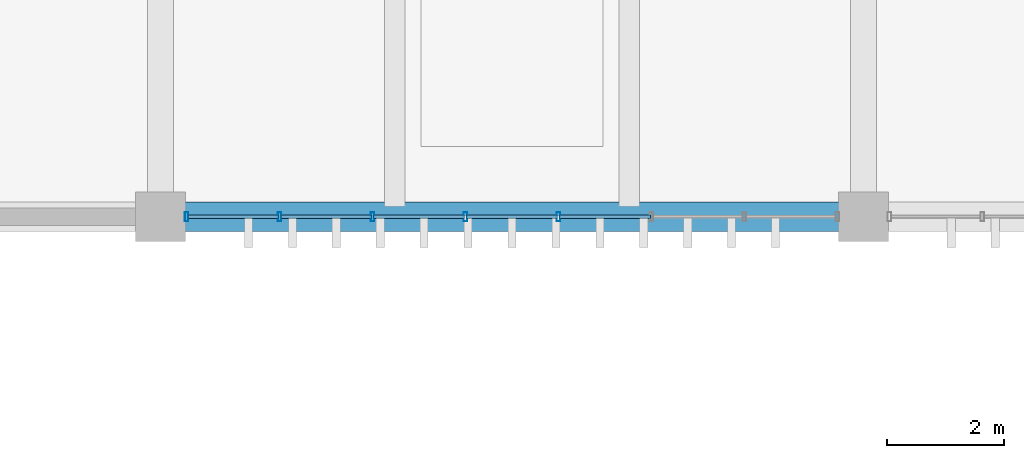
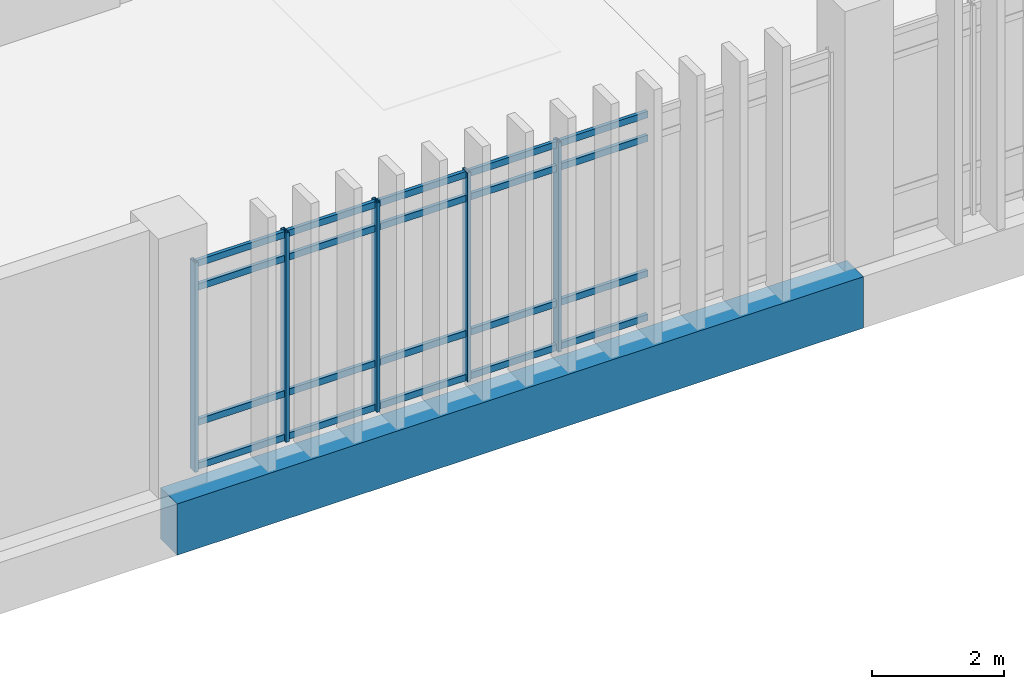
# One storey, part 33 of 87: 25 members, 1 beam, 1 element without a shape of its own.
"""IFC4 building model written with IfcOpenShell, lengths in metres."""

from ifc_helpers import new_model, si_unit, direction, frame, origin, origin_2d, place, context, subcontext, project, spatial, rectangle, hollow_rectangle, extrude, material, layer, layer_set, material_profile, profile_set, type_object, element, aggregate, save


model = new_model("IFC4")

# Units and contexts
model_context = context("Model", 3, precision=1e-05, world=origin(), true_north=direction((0.0, 1.0)))
body_context = subcontext(model_context, "Body", "Model", "MODEL_VIEW")
ifc_project = project(units=[si_unit("LENGTHUNIT", "METRE"), si_unit("AREAUNIT", "SQUARE_METRE"), si_unit("VOLUMEUNIT", "CUBIC_METRE"), si_unit("PLANEANGLEUNIT", "RADIAN"), si_unit("MASSUNIT", "GRAM", prefix="KILO")], contexts=[model_context])

# Site, building, storey
site_placement = place(None, origin())
site = spatial("IfcSite", under=ifc_project, at=site_placement, CompositionType="ELEMENT")
building_placement = place(site_placement, origin())
building = spatial("IfcBuilding", under=site, at=building_placement, Name="Mersad Railyard Sports Hall", CompositionType="ELEMENT")
storey_placement = place(building_placement, origin())
storey = spatial("IfcBuildingStorey", under=building, at=storey_placement, Name="L00", CompositionType="ELEMENT", Elevation=0.0)

# Curtain wall, members
ifc_material_1 = material(Name="Aluminium 6063-T6", Category="aluminium")
ifc_layer = layer(ifc_material_1, 0.159912109375)
ifc_layer_set = layer_set([ifc_layer], Name="Aluminium 6063-T6")
curtain_wall_type = type_object("IfcCurtainWallType", Name="ARC-CW-CW31", PredefinedType="USERDEFINED", material=ifc_layer_set)
curtain_wall_placement = place(storey_placement, origin())
curtain_wall = element("IfcCurtainWall", 1, at=curtain_wall_placement, inside=storey, type_object=curtain_wall_type, Name="Curtain wall CW31-0090", ObjectType="CURTAIN WALL", PredefinedType="USERDEFINED")
ifc_material_profile_1 = material_profile(ifc_material_1, hollow_rectangle(XDim=0.06005859375, YDim=0.159912109375, WallThickness=0.00390625, at=origin_2d()), Name="AL MULLION 60x160x4")
ifc_profile_set_1 = profile_set([ifc_material_profile_1], Name="Aluminium 6063-T6")
member_type_1 = type_object("IfcMemberType", Name="ARC-CW-MUL01", PredefinedType="MULLION", material=ifc_profile_set_1)
member_1_placement = place(storey_placement, frame((61.79345703125, 85.0, -0.02001953125), z_axis=(0.0, 0.0, 1.0), x_axis=(1.0, 0.0, 0.0)))
member_1 = element("IfcMember", 2, at=member_1_placement, type_object=member_type_1, Name="CW31 Mullion 4", PredefinedType="MULLION", context=body_context, shape_type="SweptSolid", body=[
    extrude(hollow_rectangle(XDim=0.06005859375, YDim=0.159912109375, WallThickness=0.00390625, at=origin_2d()), origin(), (0.0, 0.0, 1.0), 3.8701171875),
])
member_2_placement = place(storey_placement, frame((60.20654296875, 85.0, -0.02001953125), z_axis=(0.0, 0.0, 1.0), x_axis=(1.0, 0.0, 0.0)))
member_2 = element("IfcMember", 3, at=member_2_placement, type_object=member_type_1, Name="CW31 Mullion 5", PredefinedType="MULLION", context=body_context, shape_type="SweptSolid", body=[
    extrude(hollow_rectangle(XDim=0.06005859375, YDim=0.159912109375, WallThickness=0.00390625, at=origin_2d()), origin(), (0.0, 0.0, 1.0), 3.8701171875),
])
member_3_placement = place(storey_placement, frame((58.619384765625, 85.0, -0.02001953125), z_axis=(0.0, 0.0, 1.0), x_axis=(1.0, 0.0, 0.0)))
member_3 = element("IfcMember", 4, at=member_3_placement, type_object=member_type_1, Name="CW31 Mullion 6", PredefinedType="MULLION", context=body_context, shape_type="SweptSolid", body=[
    extrude(hollow_rectangle(XDim=0.06005859375, YDim=0.159912109375, WallThickness=0.00390625, at=origin_2d()), origin(), (0.0, 0.0, 1.0), 3.8701171875),
])
member_4_placement = place(storey_placement, frame((57.0322265625, 85.0, -0.02001953125), z_axis=(0.0, 0.0, 1.0), x_axis=(1.0, 0.0, 0.0)))
member_4 = element("IfcMember", 5, at=member_4_placement, type_object=member_type_1, Name="CW31 Mullion 7", PredefinedType="MULLION", context=body_context, shape_type="SweptSolid", body=[
    extrude(hollow_rectangle(XDim=0.06005859375, YDim=0.159912109375, WallThickness=0.00390625, at=origin_2d()), origin(), (0.0, 0.0, 1.0), 3.8701171875),
])
member_5_placement = place(storey_placement, frame((55.445068359375, 85.0, -0.02001953125), z_axis=(0.0, 0.0, 1.0), x_axis=(1.0, 0.0, 0.0)))
member_5 = element("IfcMember", 6, at=member_5_placement, type_object=member_type_1, Name="CW31 Mullion 8", PredefinedType="MULLION", context=body_context, shape_type="SweptSolid", body=[
    extrude(hollow_rectangle(XDim=0.06005859375, YDim=0.159912109375, WallThickness=0.00390625, at=origin_2d()), origin(), (0.0, 0.0, 1.0), 3.8701171875),
])
ifc_material_profile_2 = material_profile(ifc_material_1, hollow_rectangle(XDim=0.06005859375, YDim=0.1201171875, WallThickness=0.00390625, at=origin_2d()), Name="AL TRANSOM 60x120x4")
ifc_profile_set_2 = profile_set([ifc_material_profile_2], Name="Aluminium 6063-T6")
member_type_2 = type_object("IfcMemberType", Name="ARC-CW-TRN01", PredefinedType="USERDEFINED", material=ifc_profile_set_2)
member_6_placement = place(storey_placement, frame((63.360595703125, 85.0, 0.0400390625), z_axis=(-1.0, 0.0, 0.0), x_axis=(0.0, -1.0, 0.0)))
member_6 = element("IfcMember", 7, at=member_6_placement, type_object=member_type_2, Name="CW31 Transom 1-3", ObjectType="TRANSOM", PredefinedType="USERDEFINED", context=body_context, shape_type="SweptSolid", body=[
    extrude(hollow_rectangle(XDim=0.06005859375, YDim=0.1201171875, WallThickness=0.00390625, at=origin_2d()), origin(), (0.0, 0.0, 1.0), 1.547119140625),
])
member_7_placement = place(storey_placement, frame((61.773681640625, 85.0, 0.0400390625), z_axis=(-1.0, 0.0, 0.0), x_axis=(0.0, -1.0, 0.0)))
member_7 = element("IfcMember", 8, at=member_7_placement, type_object=member_type_2, Name="CW31 Transom 1-4", ObjectType="TRANSOM", PredefinedType="USERDEFINED", context=body_context, shape_type="SweptSolid", body=[
    extrude(hollow_rectangle(XDim=0.06005859375, YDim=0.1201171875, WallThickness=0.00390625, at=origin_2d()), origin(), (0.0, 0.0, 1.0), 1.54736328125),
])
member_8_placement = place(storey_placement, frame((60.1865234375, 85.0, 0.0400390625), z_axis=(-1.0, 0.0, 0.0), x_axis=(0.0, -1.0, 0.0)))
member_8 = element("IfcMember", 9, at=member_8_placement, type_object=member_type_2, Name="CW31 Transom 1-5", ObjectType="TRANSOM", PredefinedType="USERDEFINED", context=body_context, shape_type="SweptSolid", body=[
    extrude(hollow_rectangle(XDim=0.06005859375, YDim=0.1201171875, WallThickness=0.00390625, at=origin_2d()), origin(), (0.0, 0.0, 1.0), 1.547119140625),
])
member_9_placement = place(storey_placement, frame((58.599365234375, 85.0, 0.0400390625), z_axis=(-1.0, 0.0, 0.0), x_axis=(0.0, -1.0, 0.0)))
member_9 = element("IfcMember", 10, at=member_9_placement, type_object=member_type_2, Name="CW31 Transom 1-6", ObjectType="TRANSOM", PredefinedType="USERDEFINED", context=body_context, shape_type="SweptSolid", body=[
    extrude(hollow_rectangle(XDim=0.06005859375, YDim=0.1201171875, WallThickness=0.00390625, at=origin_2d()), origin(), (0.0, 0.0, 1.0), 1.547119140625),
])
member_10_placement = place(storey_placement, frame((57.01220703125, 85.0, 0.0400390625), z_axis=(-1.0, 0.0, 0.0), x_axis=(0.0, -1.0, 0.0)))
member_10 = element("IfcMember", 11, at=member_10_placement, type_object=member_type_2, Name="CW31 Transom 1-7", ObjectType="TRANSOM", PredefinedType="USERDEFINED", context=body_context, shape_type="SweptSolid", body=[
    extrude(hollow_rectangle(XDim=0.06005859375, YDim=0.1201171875, WallThickness=0.00390625, at=origin_2d()), origin(), (0.0, 0.0, 1.0), 1.547119140625),
])
member_11_placement = place(storey_placement, frame((63.360595703125, 85.0, 0.85009765625), z_axis=(-1.0, 0.0, 0.0), x_axis=(0.0, -1.0, 0.0)))
member_11 = element("IfcMember", 12, at=member_11_placement, type_object=member_type_2, Name="CW31 Transom 2-3", ObjectType="TRANSOM", PredefinedType="USERDEFINED", context=body_context, shape_type="SweptSolid", body=[
    extrude(hollow_rectangle(XDim=0.06005859375, YDim=0.1201171875, WallThickness=0.00390625, at=origin_2d()), origin(), (0.0, 0.0, 1.0), 1.547119140625),
])
member_12_placement = place(storey_placement, frame((61.773681640625, 85.0, 0.85009765625), z_axis=(-1.0, 0.0, 0.0), x_axis=(0.0, -1.0, 0.0)))
member_12 = element("IfcMember", 13, at=member_12_placement, type_object=member_type_2, Name="CW31 Transom 2-4", ObjectType="TRANSOM", PredefinedType="USERDEFINED", context=body_context, shape_type="SweptSolid", body=[
    extrude(hollow_rectangle(XDim=0.06005859375, YDim=0.1201171875, WallThickness=0.00390625, at=origin_2d()), origin(), (0.0, 0.0, 1.0), 1.54736328125),
])
member_13_placement = place(storey_placement, frame((60.1865234375, 85.0, 0.85009765625), z_axis=(-1.0, 0.0, 0.0), x_axis=(0.0, -1.0, 0.0)))
member_13 = element("IfcMember", 14, at=member_13_placement, type_object=member_type_2, Name="CW31 Transom 2-5", ObjectType="TRANSOM", PredefinedType="USERDEFINED", context=body_context, shape_type="SweptSolid", body=[
    extrude(hollow_rectangle(XDim=0.06005859375, YDim=0.1201171875, WallThickness=0.00390625, at=origin_2d()), origin(), (0.0, 0.0, 1.0), 1.547119140625),
])
member_14_placement = place(storey_placement, frame((58.599365234375, 85.0, 0.85009765625), z_axis=(-1.0, 0.0, 0.0), x_axis=(0.0, -1.0, 0.0)))
member_14 = element("IfcMember", 15, at=member_14_placement, type_object=member_type_2, Name="CW31 Transom 2-6", ObjectType="TRANSOM", PredefinedType="USERDEFINED", context=body_context, shape_type="SweptSolid", body=[
    extrude(hollow_rectangle(XDim=0.06005859375, YDim=0.1201171875, WallThickness=0.00390625, at=origin_2d()), origin(), (0.0, 0.0, 1.0), 1.547119140625),
])
member_15_placement = place(storey_placement, frame((57.01220703125, 85.0, 0.85009765625), z_axis=(-1.0, 0.0, 0.0), x_axis=(0.0, -1.0, 0.0)))
member_15 = element("IfcMember", 16, at=member_15_placement, type_object=member_type_2, Name="CW31 Transom 2-7", ObjectType="TRANSOM", PredefinedType="USERDEFINED", context=body_context, shape_type="SweptSolid", body=[
    extrude(hollow_rectangle(XDim=0.06005859375, YDim=0.1201171875, WallThickness=0.00390625, at=origin_2d()), origin(), (0.0, 0.0, 1.0), 1.547119140625),
])
member_16_placement = place(storey_placement, frame((63.360595703125, 85.0, 3.35009765625), z_axis=(-1.0, 0.0, 0.0), x_axis=(0.0, -1.0, 0.0)))
member_16 = element("IfcMember", 17, at=member_16_placement, type_object=member_type_2, Name="CW31 Transom 3-3", ObjectType="TRANSOM", PredefinedType="USERDEFINED", context=body_context, shape_type="SweptSolid", body=[
    extrude(hollow_rectangle(XDim=0.06005859375, YDim=0.1201171875, WallThickness=0.00390625, at=origin_2d()), origin(), (0.0, 0.0, 1.0), 1.547119140625),
])
member_17_placement = place(storey_placement, frame((61.773681640625, 85.0, 3.35009765625), z_axis=(-1.0, 0.0, 0.0), x_axis=(0.0, -1.0, 0.0)))
member_17 = element("IfcMember", 18, at=member_17_placement, type_object=member_type_2, Name="CW31 Transom 3-4", ObjectType="TRANSOM", PredefinedType="USERDEFINED", context=body_context, shape_type="SweptSolid", body=[
    extrude(hollow_rectangle(XDim=0.06005859375, YDim=0.1201171875, WallThickness=0.00390625, at=origin_2d()), origin(), (0.0, 0.0, 1.0), 1.54736328125),
])
member_18_placement = place(storey_placement, frame((60.1865234375, 85.0, 3.35009765625), z_axis=(-1.0, 0.0, 0.0), x_axis=(0.0, -1.0, 0.0)))
member_18 = element("IfcMember", 19, at=member_18_placement, type_object=member_type_2, Name="CW31 Transom 3-5", ObjectType="TRANSOM", PredefinedType="USERDEFINED", context=body_context, shape_type="SweptSolid", body=[
    extrude(hollow_rectangle(XDim=0.06005859375, YDim=0.1201171875, WallThickness=0.00390625, at=origin_2d()), origin(), (0.0, 0.0, 1.0), 1.547119140625),
])
member_19_placement = place(storey_placement, frame((58.599365234375, 85.0, 3.35009765625), z_axis=(-1.0, 0.0, 0.0), x_axis=(0.0, -1.0, 0.0)))
member_19 = element("IfcMember", 20, at=member_19_placement, type_object=member_type_2, Name="CW31 Transom 3-6", ObjectType="TRANSOM", PredefinedType="USERDEFINED", context=body_context, shape_type="SweptSolid", body=[
    extrude(hollow_rectangle(XDim=0.06005859375, YDim=0.1201171875, WallThickness=0.00390625, at=origin_2d()), origin(), (0.0, 0.0, 1.0), 1.547119140625),
])
member_20_placement = place(storey_placement, frame((57.01220703125, 85.0, 3.35009765625), z_axis=(-1.0, 0.0, 0.0), x_axis=(0.0, -1.0, 0.0)))
member_20 = element("IfcMember", 21, at=member_20_placement, type_object=member_type_2, Name="CW31 Transom 3-7", ObjectType="TRANSOM", PredefinedType="USERDEFINED", context=body_context, shape_type="SweptSolid", body=[
    extrude(hollow_rectangle(XDim=0.06005859375, YDim=0.1201171875, WallThickness=0.00390625, at=origin_2d()), origin(), (0.0, 0.0, 1.0), 1.547119140625),
])
member_21_placement = place(storey_placement, frame((63.360595703125, 85.0, 3.7900390625), z_axis=(-1.0, 0.0, 0.0), x_axis=(0.0, -1.0, 0.0)))
member_21 = element("IfcMember", 22, at=member_21_placement, type_object=member_type_2, Name="CW31 Transom 4-3", ObjectType="TRANSOM", PredefinedType="USERDEFINED", context=body_context, shape_type="SweptSolid", body=[
    extrude(hollow_rectangle(XDim=0.06005859375, YDim=0.1201171875, WallThickness=0.00390625, at=origin_2d()), origin(), (0.0, 0.0, 1.0), 1.547119140625),
])
member_22_placement = place(storey_placement, frame((61.773681640625, 85.0, 3.7900390625), z_axis=(-1.0, 0.0, 0.0), x_axis=(0.0, -1.0, 0.0)))
member_22 = element("IfcMember", 23, at=member_22_placement, type_object=member_type_2, Name="CW31 Transom 4-4", ObjectType="TRANSOM", PredefinedType="USERDEFINED", context=body_context, shape_type="SweptSolid", body=[
    extrude(hollow_rectangle(XDim=0.06005859375, YDim=0.1201171875, WallThickness=0.00390625, at=origin_2d()), origin(), (0.0, 0.0, 1.0), 1.54736328125),
])
member_23_placement = place(storey_placement, frame((60.1865234375, 85.0, 3.7900390625), z_axis=(-1.0, 0.0, 0.0), x_axis=(0.0, -1.0, 0.0)))
member_23 = element("IfcMember", 24, at=member_23_placement, type_object=member_type_2, Name="CW31 Transom 4-5", ObjectType="TRANSOM", PredefinedType="USERDEFINED", context=body_context, shape_type="SweptSolid", body=[
    extrude(hollow_rectangle(XDim=0.06005859375, YDim=0.1201171875, WallThickness=0.00390625, at=origin_2d()), origin(), (0.0, 0.0, 1.0), 1.547119140625),
])
member_24_placement = place(storey_placement, frame((58.599365234375, 85.0, 3.7900390625), z_axis=(-1.0, 0.0, 0.0), x_axis=(0.0, -1.0, 0.0)))
member_24 = element("IfcMember", 25, at=member_24_placement, type_object=member_type_2, Name="CW31 Transom 4-6", ObjectType="TRANSOM", PredefinedType="USERDEFINED", context=body_context, shape_type="SweptSolid", body=[
    extrude(hollow_rectangle(XDim=0.06005859375, YDim=0.1201171875, WallThickness=0.00390625, at=origin_2d()), origin(), (0.0, 0.0, 1.0), 1.547119140625),
])
member_25_placement = place(storey_placement, frame((57.01220703125, 85.0, 3.7900390625), z_axis=(-1.0, 0.0, 0.0), x_axis=(0.0, -1.0, 0.0)))
member_25 = element("IfcMember", 26, at=member_25_placement, type_object=member_type_2, Name="CW31 Transom 4-7", ObjectType="TRANSOM", PredefinedType="USERDEFINED", context=body_context, shape_type="SweptSolid", body=[
    extrude(hollow_rectangle(XDim=0.06005859375, YDim=0.1201171875, WallThickness=0.00390625, at=origin_2d()), origin(), (0.0, 0.0, 1.0), 1.547119140625),
])
aggregate(curtain_wall, [member_1, member_2, member_3, member_4, member_5, member_6, member_7, member_8, member_9, member_10, member_11, member_12, member_13, member_14, member_15, member_16, member_17, member_18, member_19, member_20, member_21, member_22, member_23, member_24, member_25])

# Beam
ifc_material_2 = material(Name="Concrete C50/60", Category="concrete")
ifc_material_profile_3 = material_profile(ifc_material_2, rectangle(XDim=0.5, YDim=0.949951171875, at=origin_2d()), Name="RC 500x950")
ifc_profile_set_3 = profile_set([ifc_material_profile_3], Name="Concrete C50/60")
beam_type = type_object("IfcBeamType", Name="STR-BM-B03", PredefinedType="BEAM", material=ifc_profile_set_3)
beam_placement = place(storey_placement, frame((55.0, 85.0, -0.824951171875), z_axis=(1.0, 0.0, 0.0), x_axis=(0.0, 1.0, 0.0)))
element("IfcBeam", 27, at=beam_placement, inside=storey, type_object=beam_type, Name="Beam B03-0143", PredefinedType="BEAM", context=body_context, shape_type="SweptSolid", body=[
    extrude(rectangle(XDim=0.5, YDim=0.949951171875, at=origin_2d()), origin(), (0.0, 0.0, 1.0), 12.0),
])

save(model, "model.ifc")
